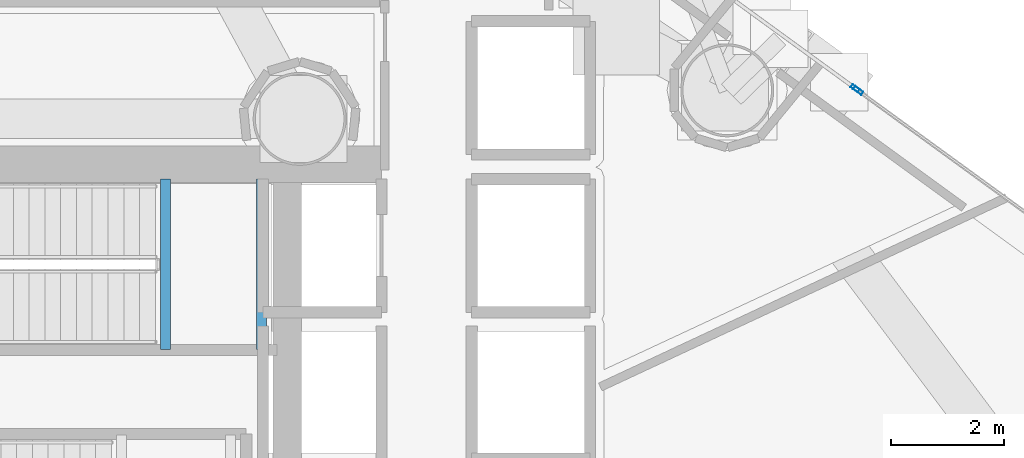
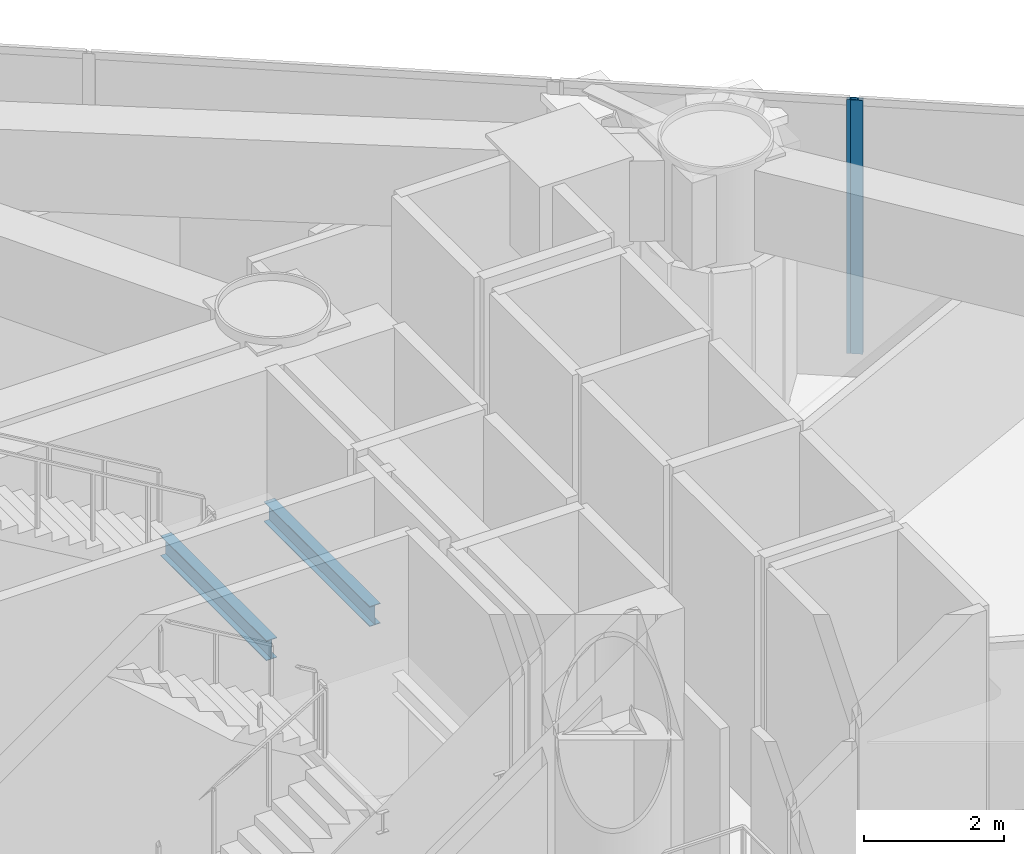
# One storey, part 9 of 22: 2 beams, 2 members, 2 elements without a shape of their own.
"""IFC4 building model written with IfcOpenShell, lengths in metres."""

from ifc_helpers import new_model, si_unit, direction, frame, origin, origin_2d, place, context, subcontext, project, spatial, hollow_rectangle, i_section, extrude, material, layer, layer_set, material_profile, profile_set, type_object, element, aggregate, save


model = new_model("IFC4")

# Units and contexts
model_context = context("Model", 3, precision=1e-05, world=origin(), true_north=direction((0.0, 1.0)))
body_context = subcontext(model_context, "Body", "Model", "MODEL_VIEW")
ifc_project = project(units=[si_unit("LENGTHUNIT", "METRE"), si_unit("AREAUNIT", "SQUARE_METRE"), si_unit("VOLUMEUNIT", "CUBIC_METRE"), si_unit("PLANEANGLEUNIT", "RADIAN"), si_unit("MASSUNIT", "GRAM", prefix="KILO")], contexts=[model_context])

# Site, building, storey
site_placement = place(None, origin())
site = spatial("IfcSite", under=ifc_project, at=site_placement, CompositionType="ELEMENT")
building_placement = place(site_placement, origin())
building = spatial("IfcBuilding", under=site, at=building_placement, Name="Qianvela Tower", CompositionType="ELEMENT")
storey_placement = place(building_placement, frame((0.0, 0.0, 93.199951171875)))
storey = spatial("IfcBuildingStorey", under=building, at=storey_placement, Name="L23", CompositionType="ELEMENT", Elevation=93.199951171875)

# Beams
ifc_material_1 = material(Name="Steel Q355B", Category="steel")
ifc_material_profile_1 = material_profile(ifc_material_1, i_section(OverallWidth=0.175048828125, OverallDepth=0.35009765625, WebThickness=0.007080078125, FlangeThickness=0.010986328125, at=origin_2d()), Name="HN350x175x7x11")
ifc_profile_set_1 = profile_set([ifc_material_profile_1], Name="Steel Q355B")
beam_type = type_object("IfcBeamType", Name="BM-HN350-JOIST", PredefinedType="JOIST", material=ifc_profile_set_1)
for number, where, z_axis, x_axis, name in (
    (1, (36.02001953125, 29.4599609375, 1.925048828125), (0.0, 1.0, 0.0), (-1.0, 0.0, 0.0), "L23 Stair ST-1 Landing Support Beam 1.1"),
    (2, (37.719970703125, 29.4599609375, 1.925048828125), (0.0, 1.0, 0.0), (-1.0, 0.0, 0.0), "L23 Stair ST-1 Landing Support Beam 1.2"),
):
    element("IfcBeam", number, at=place(storey_placement, frame(where, z_axis=z_axis, x_axis=x_axis)), inside=storey, type_object=beam_type, Name=name, PredefinedType="JOIST", context=body_context, shape_type="SweptSolid", body=[
        extrude(i_section(OverallWidth=0.175048828125, OverallDepth=0.35009765625, WebThickness=0.007080078125, FlangeThickness=0.010986328125, at=origin_2d()), origin(), (0.0, 0.0, 1.0), 3.02001953125),
    ])

# Curtain wall, member
ifc_material_2 = material(Name="Anodised Architectural Aluminium and Insulated Spandrel Panel", Category="aluminium")
ifc_layer_1 = layer(ifc_material_2, 0.179931640625)
ifc_layer_set_1 = layer_set([ifc_layer_1], Name="Anodised Architectural Aluminium and Insulated Spandrel Panel")
curtain_wall_type_1 = type_object("IfcCurtainWallType", Name="CW-BRACEBAY", PredefinedType="USERDEFINED", material=ifc_layer_set_1)
curtain_wall_1_placement = place(storey_placement, origin())
curtain_wall_1 = element("IfcCurtainWall", 3, at=curtain_wall_1_placement, inside=storey, type_object=curtain_wall_type_1, Name="L23 CW-BRACEBAY Curtain Wall 02B", ObjectType="CURTAIN_WALL_SYSTEM", PredefinedType="USERDEFINED")
ifc_material_3 = material(Name="Anodised Architectural Aluminium 6063-T6", Category="aluminium")
ifc_material_profile_2 = material_profile(ifc_material_3, hollow_rectangle(XDim=0.06494140625, YDim=0.159912109375, WallThickness=0.0048828125, at=origin_2d()), Name="ALU-MULL-65x160")
ifc_profile_set_2 = profile_set([ifc_material_profile_2], Name="Anodised Architectural Aluminium 6063-T6")
member_type_1 = type_object("IfcMemberType", Name="CW-BRACEBAY-MULL", PredefinedType="MULLION", material=ifc_profile_set_2)
member_1_placement = place(storey_placement, frame((48.25146484375, 34.09326171875, 0.0), z_axis=(0.0, 0.0, 1.0), x_axis=(-0.58825366063, -0.808676468531, 0.0)))
member_1 = element("IfcMember", 4, at=member_1_placement, type_object=member_type_1, Name="CW-9 mullion 1", PredefinedType="MULLION", context=body_context, shape_type="SweptSolid", body=[
    extrude(hollow_rectangle(XDim=0.06494140625, YDim=0.159912109375, WallThickness=0.0048828125, at=origin_2d()), origin(), (0.0, 0.0, 1.0), 4.420166015625),
])
aggregate(curtain_wall_1, [member_1])

ifc_material_4 = material(Name="Anodised Architectural Aluminium and Low-E Glass", Category="aluminium")
ifc_layer_2 = layer(ifc_material_4, 0.179931640625)
ifc_layer_set_2 = layer_set([ifc_layer_2], Name="Anodised Architectural Aluminium and Low-E Glass")
curtain_wall_type_2 = type_object("IfcCurtainWallType", Name="CW-COLIV-Z12", PredefinedType="USERDEFINED", material=ifc_layer_set_2)
curtain_wall_2_placement = place(storey_placement, origin())
curtain_wall_2 = element("IfcCurtainWall", 5, at=curtain_wall_2_placement, inside=storey, type_object=curtain_wall_type_2, Name="L23 CW-COLIV-Z12 Curtain Wall 02A", ObjectType="CURTAIN_WALL_SYSTEM", PredefinedType="USERDEFINED")
ifc_material_5 = material(Name="Anodised Architectural Aluminium 6063-T6", Category="aluminium")
ifc_material_profile_3 = material_profile(ifc_material_5, hollow_rectangle(XDim=0.070068359375, YDim=0.179931640625, WallThickness=0.0048828125, at=origin_2d()), Name="ALU-MULL-70x180")
ifc_profile_set_3 = profile_set([ifc_material_profile_3], Name="Anodised Architectural Aluminium 6063-T6")
member_type_2 = type_object("IfcMemberType", Name="CW-COLIV-Z12-MULL", PredefinedType="MULLION", material=ifc_profile_set_3)
member_2_placement = place(storey_placement, frame((48.30615234375, 34.0537109375, 0.0), z_axis=(0.0, 0.0, 1.0), x_axis=(-0.588253024297, -0.808676931417, 0.0)))
member_2 = element("IfcMember", 6, at=member_2_placement, type_object=member_type_2, Name="CW-3 mullion 3", PredefinedType="MULLION", context=body_context, shape_type="SweptSolid", body=[
    extrude(hollow_rectangle(XDim=0.070068359375, YDim=0.179931640625, WallThickness=0.0048828125, at=origin_2d()), origin(), (0.0, 0.0, 1.0), 4.420166015625),
])
aggregate(curtain_wall_2, [member_2])

save(model, "model.ifc")
